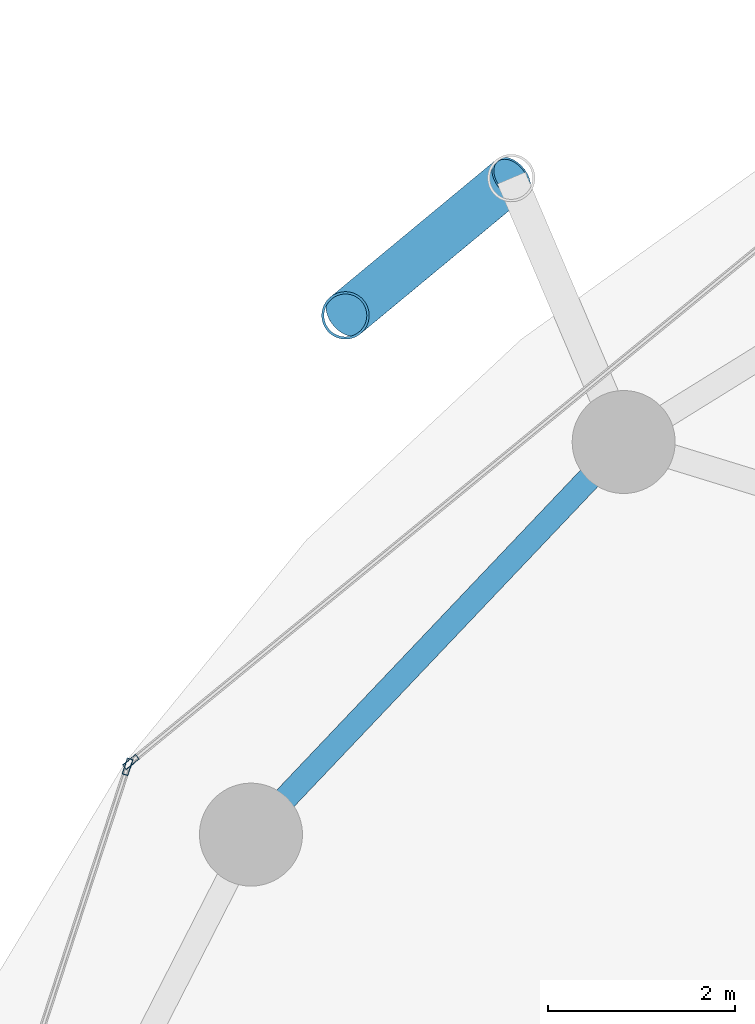
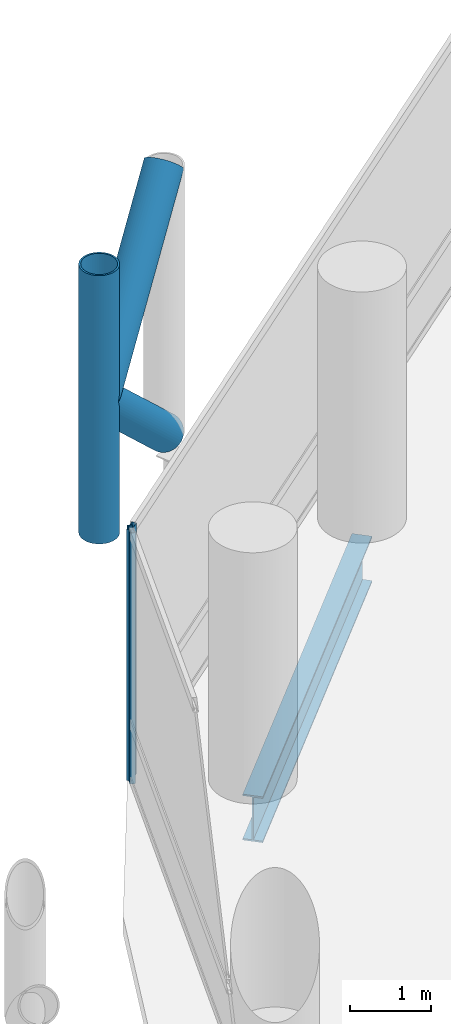
# One storey, part 13 of 24: 5 members, 1 beam, 2 elements without a shape of their own.
"""IFC4 building model written with IfcOpenShell, lengths in metres."""

from ifc_helpers import new_model, si_unit, direction, frame, origin, origin_2d, place, context, subcontext, project, spatial, hollow_rectangle, hollow_circle, i_section, extrude, material, layer, layer_set, material_profile, profile_set, type_object, element, aggregate, save


model = new_model("IFC4")

# Units and contexts
model_context = context("Model", 3, precision=1e-05, world=origin(), true_north=direction((0.0, 1.0)))
body_context = subcontext(model_context, "Body", "Model", "MODEL_VIEW")
ifc_project = project(units=[si_unit("LENGTHUNIT", "METRE"), si_unit("AREAUNIT", "SQUARE_METRE"), si_unit("VOLUMEUNIT", "CUBIC_METRE"), si_unit("PLANEANGLEUNIT", "RADIAN"), si_unit("MASSUNIT", "GRAM", prefix="KILO")], contexts=[model_context])

# Site, building, storey
site_placement = place(None, origin())
site = spatial("IfcSite", under=ifc_project, at=site_placement, CompositionType="ELEMENT")
building_placement = place(site_placement, origin())
building = spatial("IfcBuilding", under=site, at=building_placement, Name="Nuhasar Tower", CompositionType="ELEMENT")
storey_placement = place(building_placement, frame((0.0, 0.0, 41.25)))
storey = spatial("IfcBuildingStorey", under=building, at=storey_placement, Name="L09", CompositionType="ELEMENT", Elevation=41.25)

# Beam
ifc_material_1 = material(Name="Steel S355", Category="steel")
ifc_material_profile_1 = material_profile(ifc_material_1, i_section(OverallWidth=0.256103515625, OverallDepth=0.693115234375, WebThickness=0.014404296875, FlangeThickness=0.023681640625, at=origin_2d()), Name="W27X114")
ifc_profile_set_1 = profile_set([ifc_material_profile_1], Name="Steel S355")
beam_type = type_object("IfcBeamType", Name="BM-RING-W27X114", PredefinedType="SPANDREL", material=ifc_profile_set_1)
beam_placement = place(storey_placement, frame((21.287109375, 41.118896484375, -0.60595703125), z_axis=(-0.688480893507, -0.725254478976, 0.0), x_axis=(0.725254478976, -0.688480893507, 0.0)))
element("IfcBeam", 1, at=beam_placement, inside=storey, type_object=beam_type, Name="L09 Perimeter Ring Spandrel 10", PredefinedType="SPANDREL", context=body_context, shape_type="SweptSolid", body=[
    extrude(i_section(OverallWidth=0.256103515625, OverallDepth=0.693115234375, WebThickness=0.014404296875, FlangeThickness=0.023681640625, at=origin_2d()), origin(), (0.0, 0.0, 1.0), 5.782470703125),
])

# Curtain wall, member
ifc_material_2 = material(Name="Aluminium 6063-T6", Category="aluminium")
ifc_layer = layer(ifc_material_2, 0.199951171875)
ifc_layer_set = layer_set([ifc_layer], Name="Aluminium 6063-T6")
curtain_wall_type = type_object("IfcCurtainWallType", Name="CW-Z1-OFF", PredefinedType="NOTDEFINED", material=ifc_layer_set)
curtain_wall_1_placement = place(storey_placement, origin())
curtain_wall_1 = element("IfcCurtainWall", 2, at=curtain_wall_1_placement, inside=storey, type_object=curtain_wall_type, Name="L09 Unitised Curtain Wall 05", PredefinedType="NOTDEFINED")
ifc_material_profile_2 = material_profile(ifc_material_2, hollow_rectangle(XDim=0.06494140625, YDim=0.179931640625, WallThickness=0.0048828125, at=origin_2d()), Name="CWM-2")
ifc_profile_set_2 = profile_set([ifc_material_profile_2], Name="Aluminium 6063-T6")
member_type_1 = type_object("IfcMemberType", Name="CW-MUL-S2", PredefinedType="MULLION", material=ifc_profile_set_2)
member_1_placement = place(storey_placement, frame((16.023193359375, 37.70068359375, 0.0), z_axis=(0.0, 0.0, 1.0), x_axis=(0.633744593376, -0.773542364946, 0.0)))
member_1 = element("IfcMember", 3, at=member_1_placement, type_object=member_type_1, Name="CW-Z1 mullion 2", PredefinedType="MULLION", context=body_context, shape_type="SweptSolid", body=[
    extrude(hollow_rectangle(XDim=0.06494140625, YDim=0.179931640625, WallThickness=0.0048828125, at=origin_2d()), origin(), (0.0, 0.0, 1.0), 3.7900390625),
])
aggregate(curtain_wall_1, [member_1])

curtain_wall_2_placement = place(storey_placement, origin())
curtain_wall_2 = element("IfcCurtainWall", 4, at=curtain_wall_2_placement, inside=storey, type_object=curtain_wall_type, Name="L09 Unitised Curtain Wall 06", PredefinedType="NOTDEFINED")
member_2_placement = place(storey_placement, frame((15.98779296875, 37.649169921875, 0.0), z_axis=(0.0, 0.0, 1.0), x_axis=(0.950467534571, -0.310823849997, 0.0)))
member_2 = element("IfcMember", 5, at=member_2_placement, type_object=member_type_1, Name="CW-Z1 mullion 1", PredefinedType="MULLION", context=body_context, shape_type="SweptSolid", body=[
    extrude(hollow_rectangle(XDim=0.06494140625, YDim=0.179931640625, WallThickness=0.0048828125, at=origin_2d()), origin(), (0.0, 0.0, 1.0), 3.7900390625),
])
aggregate(curtain_wall_2, [member_2])

# Members
ifc_material_3 = material(Name="Steel S460", Category="steel")
ifc_material_profile_3 = material_profile(ifc_material_3, hollow_circle(Radius=0.25390625, WallThickness=0.025390625, at=origin_2d()), Name="HSS508X25.4")
ifc_profile_set_3 = profile_set([ifc_material_profile_3], Name="Steel S460")
member_type_2 = type_object("IfcMemberType", Name="EXO-BRONZE-508", PredefinedType="BRACE", material=ifc_profile_set_3)
member_3_placement = place(storey_placement, frame((18.31494140625, 42.470947265625, 0.0), z_axis=(0.0, 0.0, 1.0), x_axis=(1.0, 0.0, 0.0)))
element("IfcMember", 6, at=member_3_placement, inside=storey, type_object=member_type_2, Name="L09 Exoskeleton Chord Column EC-05B", PredefinedType="BRACE", context=body_context, shape_type="SweptSolid", body=[
    extrude(hollow_circle(Radius=0.25390625, WallThickness=0.025390625, at=origin_2d()), origin(), (0.0, 0.0, 1.0), 4.050048828125),
])
member_4_placement = place(storey_placement, frame((20.0869140625, 43.93896484375, 0.0), z_axis=(-0.578101613167, -0.478937034992, 0.660619286251), x_axis=(0.637969333506, -0.770061769929, 0.0)))
element("IfcMember", 7, at=member_4_placement, inside=storey, type_object=member_type_2, Name="L09 Bronze Diagrid Brace W1-05", PredefinedType="BRACE", context=body_context, shape_type="SweptSolid", body=[
    extrude(hollow_circle(Radius=0.25390625, WallThickness=0.025390625, at=origin_2d()), origin(), (0.0, 0.0, 1.0), 3.065185546875),
])
member_5_placement = place(storey_placement, frame((18.31494140625, 42.470947265625, 2.02490234375), z_axis=(0.578071194894, 0.478911834514, 0.660664172175), x_axis=(-0.637969333506, 0.770061769929, 0.0)))
element("IfcMember", 8, at=member_5_placement, inside=storey, type_object=member_type_2, Name="L09 Bronze Diagrid Brace W2-05", PredefinedType="BRACE", context=body_context, shape_type="SweptSolid", body=[
    extrude(hollow_circle(Radius=0.25390625, WallThickness=0.025390625, at=origin_2d()), origin(), (0.0, 0.0, 1.0), 3.0654296875),
])

save(model, "model.ifc")
